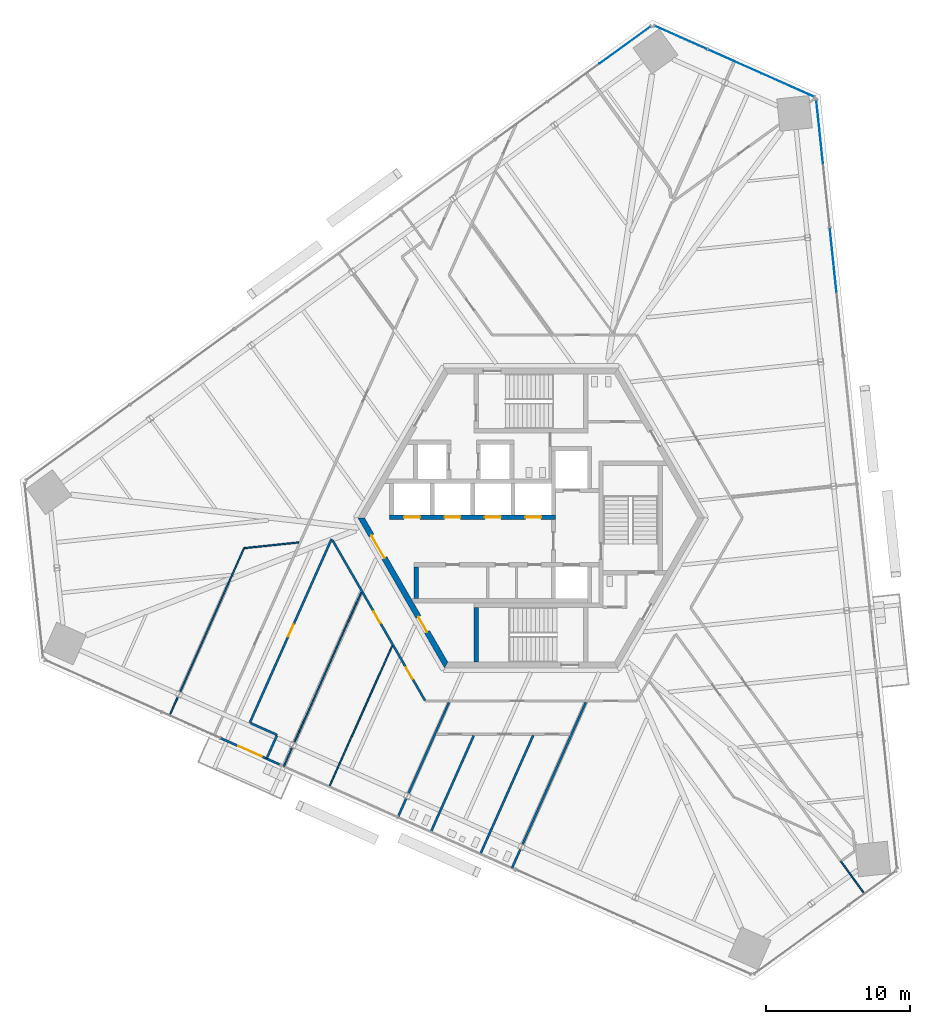
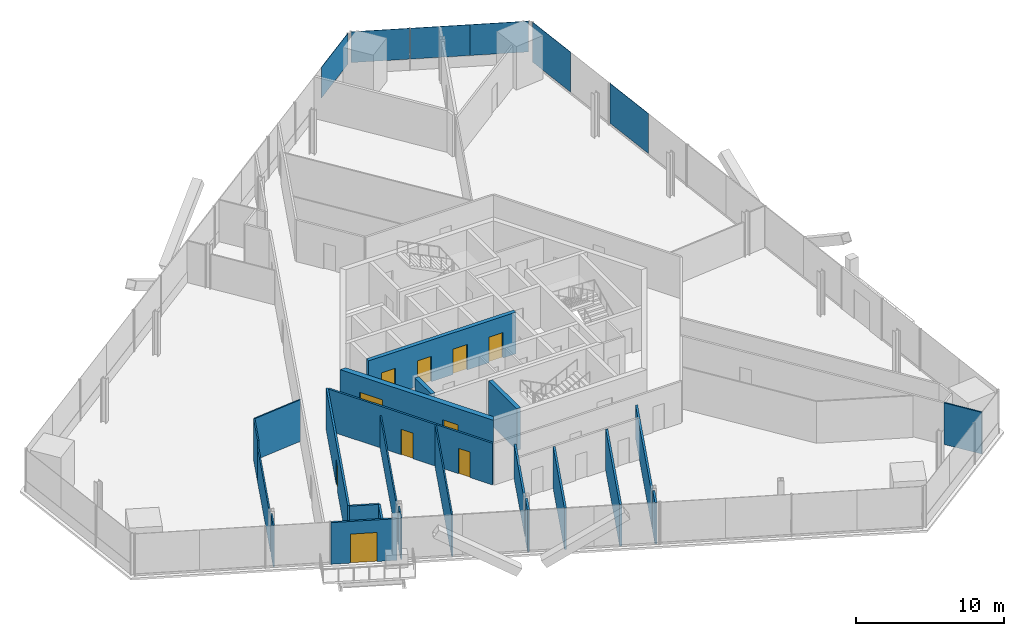
# One storey, part 11 of 19: 23 walls, 10 doors, 6 plates, 10 openings, 3 elements without a shape of their own.
"""IFC4 building model written with IfcOpenShell, lengths in metres."""

from ifc_helpers import new_model, si_unit, direction, frame, frame_2d, origin, origin_2d, place, context, subcontext, project, spatial, polyline, rectangle, outline, extrude, source, transform, mapped, material, layer, layer_set, type_object, element, fill, aggregate, save


model = new_model("IFC4")

# Units and contexts
model_context = context("Model", 3, precision=1e-05, world=origin(), true_north=direction((0.0, 1.0)))
body_context = subcontext(model_context, "Body", "Model", "MODEL_VIEW")
ifc_project = project(units=[si_unit("LENGTHUNIT", "METRE"), si_unit("AREAUNIT", "SQUARE_METRE"), si_unit("VOLUMEUNIT", "CUBIC_METRE"), si_unit("PLANEANGLEUNIT", "RADIAN"), si_unit("MASSUNIT", "GRAM", prefix="KILO")], contexts=[model_context])

# Site, building, storey
site_placement = place(None, origin())
site = spatial("IfcSite", under=ifc_project, at=site_placement, CompositionType="ELEMENT")
building_placement = place(site_placement, origin())
building = spatial("IfcBuilding", under=site, at=building_placement, Name="Triune Harvest Tower", CompositionType="ELEMENT")
storey_placement = place(building_placement, frame((0.0, 0.0, 76.5)))
storey = spatial("IfcBuildingStorey", under=building, at=storey_placement, Name="L18", CompositionType="ELEMENT", Elevation=76.5)

# Curtain wall, plates
ifc_material_1 = material(Name="Aluminium bronze anodised", Category="aluminium")
curtain_wall_type_1 = type_object("IfcCurtainWallType", Name="CW-1 Tower stick curtain wall", PredefinedType="NOTDEFINED", material=ifc_material_1)
curtain_wall_1_placement = place(storey_placement, origin())
curtain_wall_1 = element("IfcCurtainWall", 1, at=curtain_wall_1_placement, inside=storey, type_object=curtain_wall_type_1, Name="CW-1 B2-F2 L18 run 1")
ifc_material_2 = material(Name="Glass", Category="glass")
ifc_layer_1 = layer(ifc_material_2, 0.031982421875)
ifc_layer_set_1 = layer_set([ifc_layer_1], Name="Glass")
plate_type_1 = type_object("IfcPlateType", Name="GL-1 panel 32", PredefinedType="CURTAIN_PANEL", material=ifc_layer_set_1)
shared_shape_1 = source(origin(), body_context, "Body", "SweptSolid", [
    extrude(rectangle(XDim=3.99853515625, YDim=0.031982421875, at=origin_2d()), origin(), (0.0, 0.0, 1.0), 2.5400390625),
])
plate_1_placement = place(storey_placement, frame((17.783203125, 30.018798828125, 0.89990234375), z_axis=(0.0, 0.0, 1.0), x_axis=(-0.913546644034, 0.406733978386, 0.0)))
plate_1 = element("IfcPlate", 2, at=plate_1_placement, type_object=plate_type_1, Name="CW-1 panel B2-F2 1.1", PredefinedType="CURTAIN_PANEL", context=body_context, shape_type="MappedRepresentation", body=[
    mapped(shared_shape_1, transform((0.0, 0.0, 0.0), scale=1.0)),
])
shared_shape_2 = source(origin(), body_context, "Body", "SweptSolid", [
    extrude(rectangle(XDim=4.035888671875, YDim=0.031982421875, at=origin_2d()), origin(), (0.0, 0.0, 1.0), 2.5400390625),
])
plate_2_placement = place(storey_placement, frame((14.11328125, 31.65283203125, 0.89990234375), z_axis=(0.0, 0.0, 1.0), x_axis=(-0.913546644034, 0.406733978386, 0.0)))
plate_2 = element("IfcPlate", 3, at=plate_2_placement, type_object=plate_type_1, Name="CW-1 panel B2-F2 1.2", PredefinedType="CURTAIN_PANEL", context=body_context, shape_type="MappedRepresentation", body=[
    mapped(shared_shape_2, transform((0.0, 0.0, 0.0), scale=1.0)),
])
shared_shape_3 = source(origin(), body_context, "Body", "SweptSolid", [
    extrude(rectangle(XDim=3.9609375, YDim=0.031982421875, at=origin_2d()), origin(), (0.0, 0.0, 1.0), 2.5400390625),
])
plate_3_placement = place(storey_placement, frame((10.39208984375, 33.3095703125, 0.89990234375), z_axis=(0.0, 0.0, 1.0), x_axis=(-0.913546644034, 0.406733978386, 0.0)))
plate_3 = element("IfcPlate", 4, at=plate_3_placement, type_object=plate_type_1, Name="CW-1 panel B2-F2 1.3", PredefinedType="CURTAIN_PANEL", context=body_context, shape_type="MappedRepresentation", body=[
    mapped(shared_shape_3, transform((0.0, 0.0, 0.0), scale=1.0)),
])
aggregate(curtain_wall_1, [plate_1, plate_2, plate_3])

ifc_material_3 = material(Name="Aluminium bronze anodised", Category="aluminium")
curtain_wall_type_2 = type_object("IfcCurtainWallType", Name="CW-6 Balcony window wall", PredefinedType="NOTDEFINED", material=ifc_material_3)
curtain_wall_2_placement = place(storey_placement, origin())
curtain_wall_2 = element("IfcCurtainWall", 5, at=curtain_wall_2_placement, inside=storey, type_object=curtain_wall_type_2, Name="CW-6 B2-F1 L18 run 1002")
ifc_material_4 = material(Name="Glass", Category="glass")
ifc_layer_2 = layer(ifc_material_4, 0.030029296875)
ifc_layer_set_2 = layer_set([ifc_layer_2], Name="Glass")
plate_type_2 = type_object("IfcPlateType", Name="GL-6 panel 30", PredefinedType="CURTAIN_PANEL", material=ifc_layer_set_2)
shared_shape_4 = source(origin(), body_context, "Body", "SweptSolid", [
    extrude(rectangle(XDim=4.3994140625, YDim=0.030029296875, at=origin_2d()), origin(), (0.0, 0.0, 1.0), 3.2900390625),
])
plate_4_placement = place(storey_placement, frame((20.00732421875, 26.786865234375, 0.14990234375), z_axis=(0.0, 0.0, 1.0), x_axis=(-0.104529095521, 0.994521828916, 0.0)))
plate_4 = element("IfcPlate", 6, at=plate_4_placement, type_object=plate_type_2, Name="CW-6 panel B2-F1 1002.4", PredefinedType="CURTAIN_PANEL", context=body_context, shape_type="MappedRepresentation", body=[
    mapped(shared_shape_4, transform((0.0, 0.0, 0.0), scale=1.0)),
])
shared_shape_5 = source(origin(), body_context, "Body", "SweptSolid", [
    extrude(rectangle(XDim=4.436767578125, YDim=0.030029296875, at=origin_2d()), origin(), (0.0, 0.0, 1.0), 3.2900390625),
])
plate_5_placement = place(storey_placement, frame((20.94091796875, 17.906005859375, 0.14990234375), z_axis=(0.0, 0.0, 1.0), x_axis=(-0.104529095521, 0.994521828916, 0.0)))
plate_5 = element("IfcPlate", 7, at=plate_5_placement, type_object=plate_type_2, Name="CW-6 panel B2-F1 1002.2", PredefinedType="CURTAIN_PANEL", context=body_context, shape_type="MappedRepresentation", body=[
    mapped(shared_shape_5, transform((0.0, 0.0, 0.0), scale=1.0)),
])
aggregate(curtain_wall_2, [plate_5, plate_4])

# Curtain wall, plate
curtain_wall_3_placement = place(storey_placement, origin())
curtain_wall_3 = element("IfcCurtainWall", 8, at=curtain_wall_3_placement, inside=storey, type_object=curtain_wall_type_1, Name="CW-1 B2-F3 L18 run 1")
shared_shape_6 = source(origin(), body_context, "Body", "SweptSolid", [
    extrude(rectangle(XDim=4.3955078125, YDim=0.031982421875, at=origin_2d()), origin(), (0.0, 0.0, 1.0), 2.5400390625),
])
plate_6_placement = place(storey_placement, frame((6.5205078125, 32.79345703125, 0.89990234375), z_axis=(0.0, 0.0, 1.0), x_axis=(-0.809016876799, -0.587785414122, 0.0)))
plate_6 = element("IfcPlate", 9, at=plate_6_placement, type_object=plate_type_1, Name="CW-1 panel B2-F3 1.1", PredefinedType="CURTAIN_PANEL", context=body_context, shape_type="MappedRepresentation", body=[
    mapped(shared_shape_6, transform((0.0, 0.0, 0.0), scale=1.0)),
])
aggregate(curtain_wall_3, [plate_6])

# Wall, openings, doors
ifc_material_5 = material(Name="Gypsum board on steel studs", Category="steel")
ifc_layer_3 = layer(ifc_material_5, 0.14990234375)
ifc_layer_set_3 = layer_set([ifc_layer_3], Name="Gypsum board on steel studs")
wall_type_1 = type_object("IfcWallType", Name="Fire Partition 150 mm", PredefinedType="PARTITIONING", material=ifc_layer_set_3)
wall_1_placement = place(storey_placement, frame((-13.763916015625, -1.544677734375, 0.0), z_axis=(0.0, 0.0, 1.0), x_axis=(0.499997149045, -0.866027049778, 0.0)))
wall_1 = element("IfcWall", 10, at=wall_1_placement, inside=storey, type_object=wall_type_1, Name="Partition L18 003", PredefinedType="PARTITIONING", context=body_context, shape_type="SweptSolid", body=[
    extrude(rectangle(XDim=12.822265625, YDim=0.14990234375, at=frame_2d((6.4111328125, 0.0))), origin(), (0.0, 0.0, 1.0), 3.43994140625),
])
opening_1_placement = place(wall_1_placement, frame((5.708984375, 0.0, 0.0)))
opening_1 = element("IfcOpeningElement", 11, at=opening_1_placement, cuts=wall_1, Name="Opening L18-014", PredefinedType="OPENING", context=body_context, shape_type="SweptSolid", body=[
    extrude(rectangle(XDim=0.89990234375, YDim=2.10009765625, at=frame_2d((0.449951171875, 1.050048828125))), frame((0.0, 0.0849609375, 0.0), z_axis=(0.0, -1.0, 0.0), x_axis=(1.0, 0.0, 0.0)), (0.0, 0.0, 1.0), 0.169921875),
])
opening_2_placement = place(wall_1_placement, frame((10.191650390625, 0.0, 0.0)))
opening_2 = element("IfcOpeningElement", 12, at=opening_2_placement, cuts=wall_1, Name="Opening L18-015", PredefinedType="OPENING", context=body_context, shape_type="SweptSolid", body=[
    extrude(rectangle(XDim=0.89990234375, YDim=2.10009765625, at=frame_2d((0.449951171875, 1.050048828125))), frame((0.0, 0.0849609375, 0.0), z_axis=(0.0, -1.0, 0.0), x_axis=(1.0, 0.0, 0.0)), (0.0, 0.0, 1.0), 0.169921875),
])
ifc_material_6 = material(Name="Timber and steel door set", Category="steel")
door_type_1 = type_object("IfcDoorType", Name="Single leaf door FD30 left hand 900 x 2100", OperationType="SINGLE_SWING_LEFT", PredefinedType="DOOR", material=ifc_material_6)
door_1_placement = place(opening_2_placement, origin())
door_1 = element("IfcDoor", 13, at=door_1_placement, inside=storey, type_object=door_type_1, Name="Door L18-015 Project Room 18.15", OperationType="SINGLE_SWING_LEFT", OverallHeight=2.10009765625, OverallWidth=0.89990234375, PredefinedType="DOOR", context=body_context, shape_type="SweptSolid", body=[
    extrude(rectangle(XDim=0.89990234375, YDim=2.10009765625, at=frame_2d((0.449951171875, 1.050048828125))), frame((0.0, 0.02490234375, 0.0), z_axis=(0.0, -1.0, 0.0), x_axis=(1.0, 0.0, 0.0)), (0.0, 0.0, 1.0), 0.050048828125),
])
fill(opening_2, door_1)
ifc_material_7 = material(Name="Timber and steel door set", Category="steel")
door_type_2 = type_object("IfcDoorType", Name="Single leaf door FD30 right hand 900 x 2100", OperationType="SINGLE_SWING_RIGHT", PredefinedType="DOOR", material=ifc_material_7)
door_2_placement = place(opening_1_placement, origin())
door_2 = element("IfcDoor", 14, at=door_2_placement, inside=storey, type_object=door_type_2, Name="Door L18-014 Office 18.14", OperationType="SINGLE_SWING_RIGHT", OverallHeight=2.10009765625, OverallWidth=0.89990234375, PredefinedType="DOOR", context=body_context, shape_type="SweptSolid", body=[
    extrude(rectangle(XDim=0.89990234375, YDim=2.10009765625, at=frame_2d((0.449951171875, 1.050048828125))), frame((0.0, 0.02490234375, 0.0), z_axis=(0.0, -1.0, 0.0), x_axis=(1.0, 0.0, 0.0)), (0.0, 0.0, 1.0), 0.050048828125),
])
fill(opening_1, door_2)

# Wall
wall_2_placement = place(storey_placement, frame((-19.447265625, -14.217041015625, 0.0), z_axis=(0.0, 0.0, 1.0), x_axis=(0.913572100921, -0.406676796017, 0.0)))
element("IfcWall", 15, at=wall_2_placement, inside=storey, type_object=wall_type_1, Name="Partition L18 018", PredefinedType="PARTITIONING", context=body_context, shape_type="SweptSolid", body=[
    extrude(rectangle(XDim=2.01953125, YDim=0.14990234375, at=frame_2d((1.009765625, 0.0))), origin(), (0.0, 0.0, 1.0), 3.43994140625),
])

# Wall, opening, door
wall_3_placement = place(storey_placement, frame((-19.501953125, -14.192626953125, 0.0), z_axis=(0.0, 0.0, 1.0), x_axis=(0.406745764985, 0.913541396252, 0.0)))
wall_3 = element("IfcWall", 16, at=wall_3_placement, inside=storey, type_object=wall_type_1, Name="Partition L18 045", PredefinedType="PARTITIONING", context=body_context, shape_type="SweptSolid", body=[
    extrude(rectangle(XDim=13.9482421875, YDim=0.14990234375, at=frame_2d((6.97412109375, 0.0))), origin(), (0.0, 0.0, 1.0), 3.43994140625),
])
opening_3_placement = place(wall_3_placement, frame((6.551025390625, 0.0, 0.0)))
opening_3 = element("IfcOpeningElement", 17, at=opening_3_placement, cuts=wall_3, Name="Opening L18-013", PredefinedType="OPENING", context=body_context, shape_type="SweptSolid", body=[
    extrude(rectangle(XDim=0.89990234375, YDim=2.10009765625, at=frame_2d((0.449951171875, 1.050048828125))), frame((0.0, 0.0849609375, 0.0), z_axis=(0.0, -1.0, 0.0), x_axis=(1.0, 0.0, 0.0)), (0.0, 0.0, 1.0), 0.169921875),
])
door_3_placement = place(opening_3_placement, origin())
door_3 = element("IfcDoor", 18, at=door_3_placement, inside=storey, type_object=door_type_1, Name="Door L18-013 Project Room 18.13", OperationType="SINGLE_SWING_LEFT", OverallHeight=2.10009765625, OverallWidth=0.89990234375, PredefinedType="DOOR", context=body_context, shape_type="SweptSolid", body=[
    extrude(rectangle(XDim=0.89990234375, YDim=2.10009765625, at=frame_2d((0.449951171875, 1.050048828125))), frame((0.0, 0.02490234375, 0.0), z_axis=(0.0, -1.0, 0.0), x_axis=(1.0, 0.0, 0.0)), (0.0, 0.0, 1.0), 0.050048828125),
])
fill(opening_3, door_3)

# Wall
ifc_material_8 = material(Name="Gypsum board on steel studs", Category="steel")
ifc_layer_4 = layer(ifc_material_8, 0.10009765625)
ifc_layer_set_4 = layer_set([ifc_layer_4], Name="Gypsum board on steel studs")
wall_type_2 = type_object("IfcWallType", Name="Partition 100 mm", PredefinedType="PARTITIONING", material=ifc_layer_set_4)
wall_4_placement = place(storey_placement, frame((-13.97998046875, -18.62158203125, 0.0), z_axis=(0.0, 0.0, 1.0), x_axis=(0.406744679904, 0.913541879374, 0.0)))
element("IfcWall", 19, at=wall_4_placement, inside=storey, type_object=wall_type_2, Name="Partition L18 041", PredefinedType="PARTITIONING", context=body_context, shape_type="SweptSolid", body=[
    extrude(rectangle(XDim=10.685302734375, YDim=0.10009765625, at=frame_2d((5.3427734375, 0.0))), origin(), (0.0, 0.0, 1.0), 3.43994140625),
])

# Wall, openings, doors
ifc_material_9 = material(Name="Concrete 70 MPa", Category="concrete")
ifc_layer_5 = layer(ifc_material_9, 0.39990234375)
ifc_layer_set_5 = layer_set([ifc_layer_5], Name="Concrete 70 MPa")
wall_type_3 = type_object("IfcWallType", Name="Core wall 400", PredefinedType="SHEAR", material=ifc_layer_set_5)
shared_shape_7 = source(origin(), body_context, "Body", "SweptSolid", [
    extrude(outline(polyline([(-0.115478515625, -0.199951171875), (11.884521484375, -0.199951171875), (11.653564453125, 0.199951171875), (0.115478515625, 0.199951171875), (-0.115478515625, -0.199951171875)])), origin(), (0.0, 0.0, 1.0), 3.43994140625),
])
wall_5_placement = place(storey_placement, frame((-11.76904296875, 0.0, 0.0), z_axis=(0.0, 0.0, 1.0), x_axis=(0.499996592174, -0.866027371285, 0.0)))
wall_5 = element("IfcWall", 20, at=wall_5_placement, inside=storey, type_object=wall_type_3, Name="Hexagon 3 wall", PredefinedType="SHEAR", context=body_context, shape_type="MappedRepresentation", body=[
    mapped(shared_shape_7, transform((0.0, 0.0, 0.0), scale=1.0)),
])
opening_4_placement = place(wall_5_placement, frame((1.404541015625, 0.0, 0.0)))
opening_4 = element("IfcOpeningElement", 21, at=opening_4_placement, cuts=wall_5, Name="Opening CD-LS", PredefinedType="OPENING", context=body_context, shape_type="SweptSolid", body=[
    extrude(rectangle(XDim=1.800048828125, YDim=2.10009765625, at=frame_2d((0.89990234375, 1.050048828125))), frame((0.0, 0.2099609375, 0.0), z_axis=(0.0, -1.0, 0.0), x_axis=(1.0, 0.0, 0.0)), (0.0, 0.0, 1.0), 0.419921875),
])
opening_5_placement = place(wall_5_placement, frame((7.91455078125, 0.0, 0.0)))
opening_5 = element("IfcOpeningElement", 22, at=opening_5_placement, cuts=wall_5, Name="Opening CD-SWP", PredefinedType="OPENING", context=body_context, shape_type="SweptSolid", body=[
    extrude(rectangle(XDim=1.199951171875, YDim=2.10009765625, at=frame_2d((0.60009765625, 1.050048828125))), frame((0.0, 0.2099609375, 0.0), z_axis=(0.0, -1.0, 0.0), x_axis=(1.0, 0.0, 0.0)), (0.0, 0.0, 1.0), 0.419921875),
])
ifc_material_10 = material(Name="Steel S235", Category="steel")
door_type_3 = type_object("IfcDoorType", Name="Lobby door 1800 FD120", OperationType="DOUBLE_DOOR_DOUBLE_SWING", PredefinedType="DOOR", material=ifc_material_10)
door_4_placement = place(opening_4_placement, frame((1.800048828125, 0.0, 0.0), z_axis=(0.0, 0.0, 1.0), x_axis=(-1.0, 0.0, 0.0)))
door_4 = element("IfcDoor", 23, at=door_4_placement, inside=storey, type_object=door_type_3, Name="Door CD-LS", OperationType="DOUBLE_DOOR_DOUBLE_SWING", OverallHeight=2.10009765625, OverallWidth=1.800048828125, PredefinedType="DOOR", context=body_context, shape_type="SweptSolid", body=[
    extrude(rectangle(XDim=1.800048828125, YDim=2.10009765625, at=frame_2d((0.89990234375, 1.050048828125))), frame((0.0, 0.02490234375, 0.0), z_axis=(0.0, -1.0, 0.0), x_axis=(1.0, 0.0, 0.0)), (0.0, 0.0, 1.0), 0.050048828125),
])
fill(opening_4, door_4)
ifc_material_11 = material(Name="Steel S235", Category="steel")
door_type_4 = type_object("IfcDoorType", Name="Service door 1200 FD120", OperationType="SINGLE_SWING_LEFT", PredefinedType="DOOR", material=ifc_material_11)
door_5_placement = place(opening_5_placement, frame((1.199951171875, 0.0, 0.0), z_axis=(0.0, 0.0, 1.0), x_axis=(-1.0, 0.0, 0.0)))
door_5 = element("IfcDoor", 24, at=door_5_placement, inside=storey, type_object=door_type_4, Name="Door CD-SWP", OperationType="SINGLE_SWING_RIGHT", OverallHeight=2.10009765625, OverallWidth=1.199951171875, PredefinedType="DOOR", context=body_context, shape_type="SweptSolid", body=[
    extrude(rectangle(XDim=1.199951171875, YDim=2.10009765625, at=frame_2d((0.60009765625, 1.050048828125))), frame((0.0, 0.02490234375, 0.0), z_axis=(0.0, -1.0, 0.0), x_axis=(1.0, 0.0, 0.0)), (0.0, 0.0, 1.0), 0.050048828125),
])
fill(opening_5, door_5)

ifc_material_12 = material(Name="Concrete 70 MPa", Category="concrete")
ifc_layer_6 = layer(ifc_material_12, 0.300048828125)
ifc_layer_set_6 = layer_set([ifc_layer_6], Name="Concrete 70 MPa")
wall_type_4 = type_object("IfcWallType", Name="Core wall 300", PredefinedType="SHEAR", material=ifc_layer_set_6)
shared_shape_8 = source(origin(), body_context, "Body", "SweptSolid", [
    extrude(rectangle(XDim=11.5, YDim=0.300048828125, at=frame_2d((5.75, 0.0))), origin(), (0.0, 0.0, 1.0), 3.43994140625),
])
wall_6_placement = place(storey_placement, frame((-9.800048828125, 0.06005859375, 0.0), z_axis=(0.0, 0.0, 1.0), x_axis=(1.0, 0.0, 0.0)))
wall_6 = element("IfcWall", 25, at=wall_6_placement, inside=storey, type_object=wall_type_4, Name="North front wall", PredefinedType="SHEAR", context=body_context, shape_type="MappedRepresentation", body=[
    mapped(shared_shape_8, transform((0.0, 0.0, 0.0), scale=1.0)),
])
opening_6_placement = place(wall_6_placement, frame((1.0, 0.0, 0.0)))
opening_6 = element("IfcOpeningElement", 26, at=opening_6_placement, cuts=wall_6, Name="Opening LD-LR1-18", PredefinedType="OPENING", context=body_context, shape_type="SweptSolid", body=[
    extrude(rectangle(XDim=1.10009765625, YDim=2.10009765625, at=frame_2d((0.550048828125, 1.050048828125))), frame((0.0, 0.16015625, 0.0), z_axis=(0.0, -1.0, 0.0), x_axis=(1.0, 0.0, 0.0)), (0.0, 0.0, 1.0), 0.320068359375),
])
opening_7_placement = place(wall_6_placement, frame((3.800048828125, 0.0, 0.0)))
opening_7 = element("IfcOpeningElement", 27, at=opening_7_placement, cuts=wall_6, Name="Opening LD-LR2-18", PredefinedType="OPENING", context=body_context, shape_type="SweptSolid", body=[
    extrude(rectangle(XDim=1.10009765625, YDim=2.10009765625, at=frame_2d((0.550048828125, 1.050048828125))), frame((0.0, 0.16015625, 0.0), z_axis=(0.0, -1.0, 0.0), x_axis=(1.0, 0.0, 0.0)), (0.0, 0.0, 1.0), 0.320068359375),
])
opening_8_placement = place(wall_6_placement, frame((6.60009765625, 0.0, 0.0)))
opening_8 = element("IfcOpeningElement", 28, at=opening_8_placement, cuts=wall_6, Name="Opening LD-LR3-18", PredefinedType="OPENING", context=body_context, shape_type="SweptSolid", body=[
    extrude(rectangle(XDim=1.10009765625, YDim=2.10009765625, at=frame_2d((0.550048828125, 1.050048828125))), frame((0.0, 0.16015625, 0.0), z_axis=(0.0, -1.0, 0.0), x_axis=(1.0, 0.0, 0.0)), (0.0, 0.0, 1.0), 0.320068359375),
])
opening_9_placement = place(wall_6_placement, frame((9.39990234375, 0.0, 0.0)))
opening_9 = element("IfcOpeningElement", 29, at=opening_9_placement, cuts=wall_6, Name="Opening LD-LR4-18", PredefinedType="OPENING", context=body_context, shape_type="SweptSolid", body=[
    extrude(rectangle(XDim=1.10009765625, YDim=2.10009765625, at=frame_2d((0.550048828125, 1.050048828125))), frame((0.0, 0.16015625, 0.0), z_axis=(0.0, -1.0, 0.0), x_axis=(1.0, 0.0, 0.0)), (0.0, 0.0, 1.0), 0.320068359375),
])
ifc_material_13 = material(Name="Stainless steel AISI 304", Category="steel")
door_type_5 = type_object("IfcDoorType", Name="Landing door 1100 x 2100", OperationType="DOUBLE_DOOR_SLIDING", PredefinedType="DOOR", material=ifc_material_13)
door_6_placement = place(opening_6_placement, origin())
door_6 = element("IfcDoor", 30, at=door_6_placement, inside=storey, type_object=door_type_5, Name="Door LD-LR1-18", OperationType="DOUBLE_DOOR_SLIDING", OverallHeight=2.10009765625, OverallWidth=1.10009765625, PredefinedType="DOOR", context=body_context, shape_type="SweptSolid", body=[
    extrude(rectangle(XDim=1.10009765625, YDim=2.10009765625, at=frame_2d((0.550048828125, 1.050048828125))), frame((0.0, 0.02490234375, 0.0), z_axis=(0.0, -1.0, 0.0), x_axis=(1.0, 0.0, 0.0)), (0.0, 0.0, 1.0), 0.050048828125),
])
fill(opening_6, door_6)
door_7_placement = place(opening_7_placement, origin())
door_7 = element("IfcDoor", 31, at=door_7_placement, inside=storey, type_object=door_type_5, Name="Door LD-LR2-18", OperationType="DOUBLE_DOOR_SLIDING", OverallHeight=2.10009765625, OverallWidth=1.10009765625, PredefinedType="DOOR", context=body_context, shape_type="SweptSolid", body=[
    extrude(rectangle(XDim=1.10009765625, YDim=2.10009765625, at=frame_2d((0.550048828125, 1.050048828125))), frame((0.0, 0.02490234375, 0.0), z_axis=(0.0, -1.0, 0.0), x_axis=(1.0, 0.0, 0.0)), (0.0, 0.0, 1.0), 0.050048828125),
])
fill(opening_7, door_7)
door_8_placement = place(opening_8_placement, origin())
door_8 = element("IfcDoor", 32, at=door_8_placement, inside=storey, type_object=door_type_5, Name="Door LD-LR3-18", OperationType="DOUBLE_DOOR_SLIDING", OverallHeight=2.10009765625, OverallWidth=1.10009765625, PredefinedType="DOOR", context=body_context, shape_type="SweptSolid", body=[
    extrude(rectangle(XDim=1.10009765625, YDim=2.10009765625, at=frame_2d((0.550048828125, 1.050048828125))), frame((0.0, 0.02490234375, 0.0), z_axis=(0.0, -1.0, 0.0), x_axis=(1.0, 0.0, 0.0)), (0.0, 0.0, 1.0), 0.050048828125),
])
fill(opening_8, door_8)
door_9_placement = place(opening_9_placement, origin())
door_9 = element("IfcDoor", 33, at=door_9_placement, inside=storey, type_object=door_type_5, Name="Door LD-LR4-18", OperationType="DOUBLE_DOOR_SLIDING", OverallHeight=2.10009765625, OverallWidth=1.10009765625, PredefinedType="DOOR", context=body_context, shape_type="SweptSolid", body=[
    extrude(rectangle(XDim=1.10009765625, YDim=2.10009765625, at=frame_2d((0.550048828125, 1.050048828125))), frame((0.0, 0.02490234375, 0.0), z_axis=(0.0, -1.0, 0.0), x_axis=(1.0, 0.0, 0.0)), (0.0, 0.0, 1.0), 0.050048828125),
])
fill(opening_9, door_9)

# Walls
shared_shape_9 = source(origin(), body_context, "Body", "SweptSolid", [
    extrude(rectangle(XDim=2.2001953125, YDim=0.300048828125, at=frame_2d((1.10009765625, 0.0))), origin(), (0.0, 0.0, 1.0), 3.43994140625),
])
wall_7_placement = place(storey_placement, frame((-7.949951171875, -5.590087890625, 0.0), z_axis=(0.0, 0.0, 1.0), x_axis=(0.0, 1.0, 0.0)))
element("IfcWall", 34, at=wall_7_placement, inside=storey, type_object=wall_type_4, Name="South end west wall", PredefinedType="SHEAR", context=body_context, shape_type="MappedRepresentation", body=[
    mapped(shared_shape_9, transform((0.0, 0.0, 0.0), scale=1.0)),
])
shared_shape_10 = source(origin(), body_context, "Body", "SweptSolid", [
    extrude(outline(polyline([(3.800048828125, -0.14990234375), (-0.00439453125, -0.14990234375), (-0.00439453125, 0.14990234375), (3.800048828125, 0.14990234375), (3.800048828125, -0.14990234375)])), origin(), (0.0, 0.0, 1.0), 3.43994140625),
])
wall_8_placement = place(storey_placement, frame((-3.800048828125, -9.989990234375, 0.0), z_axis=(0.0, 0.0, 1.0), x_axis=(0.0, 1.0, 0.0)))
element("IfcWall", 35, at=wall_8_placement, inside=storey, type_object=wall_type_4, Name="Stair s west wall", PredefinedType="SHEAR", context=body_context, shape_type="MappedRepresentation", body=[
    mapped(shared_shape_10, transform((0.0, 0.0, 0.0), scale=1.0)),
])

# Wall, opening, door
ifc_material_14 = material(Name="Aluminium bronze anodised", Category="aluminium")
ifc_layer_7 = layer(ifc_material_14, 0.14990234375)
ifc_layer_set_7 = layer_set([ifc_layer_7], Name="Aluminium bronze anodised")
wall_type_5 = type_object("IfcWallType", Name="WW-2 balcony window wall", PredefinedType="ELEMENTEDWALL", material=ifc_layer_set_7)
shared_shape_11 = source(origin(), body_context, "Body", "SweptSolid", [
    extrude(rectangle(XDim=4.485595703125, YDim=0.14990234375, at=frame_2d((2.24267578125, 0.0))), origin(), (0.0, 0.0, 1.0), 3.43994140625),
])
wall_9_placement = place(storey_placement, frame((-17.427490234375, -17.086669921875, 0.0), z_axis=(0.0, 0.0, 1.0), x_axis=(-0.91354876379, 0.406729217266, 0.0)))
wall_9 = element("IfcWall", 36, at=wall_9_placement, inside=storey, type_object=wall_type_5, Name="WW-2 B2-F5 L18.4", PredefinedType="ELEMENTEDWALL", context=body_context, shape_type="MappedRepresentation", body=[
    mapped(shared_shape_11, transform((0.0, 0.0, 0.0), scale=1.0)),
])
opening_10_placement = place(wall_9_placement, frame((1.3427734375, 0.0, 0.0)))
opening_10 = element("IfcOpeningElement", 37, at=opening_10_placement, cuts=wall_9, Name="Opening L18-E02", PredefinedType="OPENING", context=body_context, shape_type="SweptSolid", body=[
    extrude(rectangle(XDim=1.800048828125, YDim=2.39990234375, at=frame_2d((0.89990234375, 1.199951171875))), frame((0.0, 0.0849609375, 0.0), z_axis=(0.0, -1.0, 0.0), x_axis=(1.0, 0.0, 0.0)), (0.0, 0.0, 1.0), 0.169921875),
])
ifc_material_15 = material(Name="Glass", Category="glass")
door_type_6 = type_object("IfcDoorType", Name="DB-1 balcony door 1800 x 2400", OperationType="DOUBLE_DOOR_SINGLE_SWING", PredefinedType="DOOR", material=ifc_material_15)
door_10_placement = place(opening_10_placement, origin())
door_10 = element("IfcDoor", 38, at=door_10_placement, inside=storey, type_object=door_type_6, Name="Door L18-E02", OperationType="DOUBLE_DOOR_SINGLE_SWING", OverallHeight=2.39990234375, OverallWidth=1.800048828125, PredefinedType="DOOR", context=body_context, shape_type="SweptSolid", body=[
    extrude(rectangle(XDim=1.800048828125, YDim=2.39990234375, at=frame_2d((0.89990234375, 1.199951171875))), frame((0.0, 0.02490234375, 0.0), z_axis=(0.0, -1.0, 0.0), x_axis=(1.0, 0.0, 0.0)), (0.0, 0.0, 1.0), 0.050048828125),
])
fill(opening_10, door_10)

# Walls
shared_shape_12 = source(origin(), body_context, "Body", "SweptSolid", [
    extrude(rectangle(XDim=1.41845703125, YDim=0.14990234375, at=frame_2d((0.709228515625, 0.0))), origin(), (0.0, 0.0, 1.0), 3.43994140625),
])
for number, where, z_axis, x_axis, name in (
    (39, (-1.31884765625, -24.2587890625, 0.0), (0.0, 0.0, 1.0), (0.406697305895, 0.913562970669, 0.0), "Partition L18 032"),
    (40, (-9.23193359375, -20.735595703125, 0.0), (0.0, 0.0, 1.0), (0.406697305895, 0.913562970669, 0.0), "Partition L18 036"),
):
    element("IfcWall", number, at=place(storey_placement, frame(where, z_axis=z_axis, x_axis=x_axis)), inside=storey, type_object=wall_type_1, Name=name, PredefinedType="PARTITIONING", context=body_context, shape_type="MappedRepresentation", body=[
        mapped(shared_shape_12, transform((0.0, 0.0, 0.0), scale=1.0)),
    ])
shared_shape_13 = source(origin(), body_context, "Body", "SweptSolid", [
    extrude(rectangle(XDim=1.418212890625, YDim=0.10009765625, at=frame_2d((0.708984375, 0.0))), origin(), (0.0, 0.0, 1.0), 3.43994140625),
])
for number, where, z_axis, x_axis, name in (
    (41, (-17.145263671875, -17.212158203125, 0.0), (0.0, 0.0, 1.0), (0.40676126154, 0.913534496399, 0.0), "Partition L18 042"),
    (42, (-25.05859375, -13.68896484375, 0.0), (0.0, 0.0, 1.0), (0.40676126154, 0.913534496399, 0.0), "Partition L18 050"),
):
    element("IfcWall", number, at=place(storey_placement, frame(where, z_axis=z_axis, x_axis=x_axis)), inside=storey, type_object=wall_type_2, Name=name, PredefinedType="PARTITIONING", context=body_context, shape_type="MappedRepresentation", body=[
        mapped(shared_shape_13, transform((0.0, 0.0, 0.0), scale=1.0)),
    ])
shared_shape_14 = source(origin(), body_context, "Body", "SweptSolid", [
    extrude(rectangle(XDim=2.7802734375, YDim=0.10009765625, at=frame_2d((1.39013671875, 0.0))), origin(), (0.0, 0.0, 1.0), 3.43994140625),
])
wall_10_placement = place(storey_placement, frame((21.471435546875, -23.801513671875, 0.0), z_axis=(0.0, 0.0, 1.0), x_axis=(0.587806154415, -0.809001807682, 0.0)))
element("IfcWall", 43, at=wall_10_placement, inside=storey, type_object=wall_type_2, Name="Partition L18 010", PredefinedType="PARTITIONING", context=body_context, shape_type="MappedRepresentation", body=[
    mapped(shared_shape_14, transform((0.0, 0.0, 0.0), scale=1.0)),
])
shared_shape_15 = source(origin(), body_context, "Body", "SweptSolid", [
    extrude(rectangle(XDim=3.794189453125, YDim=0.10009765625, at=frame_2d((1.89697265625, 0.0))), origin(), (0.0, 0.0, 1.0), 3.43994140625),
])
wall_11_placement = place(storey_placement, frame((-19.875, -2.0888671875, 0.0), z_axis=(0.0, 0.0, 1.0), x_axis=(0.994525179628, 0.104497210903, 0.0)))
element("IfcWall", 44, at=wall_11_placement, inside=storey, type_object=wall_type_2, Name="Partition L18 023", PredefinedType="PARTITIONING", context=body_context, shape_type="MappedRepresentation", body=[
    mapped(shared_shape_15, transform((0.0, 0.0, 0.0), scale=1.0)),
])
shared_shape_16 = source(origin(), body_context, "Body", "SweptSolid", [
    extrude(rectangle(XDim=10.768798828125, YDim=0.14990234375, at=frame_2d((5.38427734375, 0.0))), origin(), (0.0, 0.0, 1.0), 2.7568359375),
])
wall_12_placement = place(storey_placement, frame((-0.58984375, -22.62158203125, 0.0), z_axis=(0.0, 0.0, 1.0), x_axis=(0.406737870943, 0.91354491096, 0.0)))
element("IfcWall", 45, at=wall_12_placement, inside=storey, type_object=wall_type_1, Name="Partition L18 033", PredefinedType="PARTITIONING", context=body_context, shape_type="MappedRepresentation", body=[
    mapped(shared_shape_16, transform((0.0, 0.0, 0.0), scale=1.0)),
])
shared_shape_17 = source(origin(), body_context, "Body", "SweptSolid", [
    extrude(rectangle(XDim=8.98486328125, YDim=0.14990234375, at=frame_2d((4.492431640625, 0.0))), origin(), (0.0, 0.0, 1.0), 3.43994140625),
])
wall_13_placement = place(storey_placement, frame((-3.51123046875, -23.282470703125, 0.0), z_axis=(0.0, 0.0, 1.0), x_axis=(0.406745977018, 0.913541301847, 0.0)))
element("IfcWall", 46, at=wall_13_placement, inside=storey, type_object=wall_type_1, Name="Partition L18 034", PredefinedType="PARTITIONING", context=body_context, shape_type="MappedRepresentation", body=[
    mapped(shared_shape_17, transform((0.0, 0.0, 0.0), scale=1.0)),
])
shared_shape_18 = source(origin(), body_context, "Body", "SweptSolid", [
    extrude(rectangle(XDim=7.302001953125, YDim=0.14990234375, at=frame_2d((3.65087890625, 0.0))), origin(), (0.0, 0.0, 1.0), 3.43994140625),
])
wall_14_placement = place(storey_placement, frame((-6.943603515625, -21.75439453125, 0.0), z_axis=(0.0, 0.0, 1.0), x_axis=(0.406737107151, 0.913545251023, 0.0)))
element("IfcWall", 47, at=wall_14_placement, inside=storey, type_object=wall_type_1, Name="Partition L18 035", PredefinedType="PARTITIONING", context=body_context, shape_type="MappedRepresentation", body=[
    mapped(shared_shape_18, transform((0.0, 0.0, 0.0), scale=1.0)),
])
shared_shape_19 = source(origin(), body_context, "Body", "SweptSolid", [
    extrude(rectangle(XDim=2.61181640625, YDim=0.10009765625, at=frame_2d((1.305908203125, 0.0))), origin(), (0.0, 0.0, 1.0), 3.43994140625),
])
wall_15_placement = place(storey_placement, frame((-20.957275390625, -4.47705078125, 0.0), z_axis=(0.0, 0.0, 1.0), x_axis=(0.406719484736, 0.913553096835, 0.0)))
element("IfcWall", 48, at=wall_15_placement, inside=storey, type_object=wall_type_2, Name="Partition L18 051a", PredefinedType="PARTITIONING", context=body_context, shape_type="MappedRepresentation", body=[
    mapped(shared_shape_19, transform((0.0, 0.0, 0.0), scale=1.0)),
])
shared_shape_20 = source(origin(), body_context, "Body", "SweptSolid", [
    extrude(rectangle(XDim=6.912353515625, YDim=0.14990234375, at=frame_2d((3.4560546875, 0.0))), origin(), (0.0, 0.0, 1.0), 2.827880859375),
])
wall_16_placement = place(storey_placement, frame((-8.503173828125, -19.098388671875, 0.0), z_axis=(0.0, 0.0, 1.0), x_axis=(0.406741360929, 0.913543357105, 0.0)))
element("IfcWall", 49, at=wall_16_placement, inside=storey, type_object=wall_type_1, Name="Partition L18 037", PredefinedType="PARTITIONING", context=body_context, shape_type="MappedRepresentation", body=[
    mapped(shared_shape_20, transform((0.0, 0.0, 0.0), scale=1.0)),
])
shared_shape_21 = source(origin(), body_context, "Body", "SweptSolid", [
    extrude(rectangle(XDim=11.41064453125, YDim=0.10009765625, at=frame_2d((5.705322265625, 0.0))), origin(), (0.0, 0.0, 1.0), 2.68310546875),
])
wall_17_placement = place(storey_placement, frame((-16.41650390625, -15.5751953125, 0.0), z_axis=(0.0, 0.0, 1.0), x_axis=(0.406737907723, 0.913544894584, 0.0)))
element("IfcWall", 50, at=wall_17_placement, inside=storey, type_object=wall_type_2, Name="Partition L18 043", PredefinedType="PARTITIONING", context=body_context, shape_type="MappedRepresentation", body=[
    mapped(shared_shape_21, transform((0.0, 0.0, 0.0), scale=1.0)),
])
shared_shape_22 = source(origin(), body_context, "Body", "SweptSolid", [
    extrude(rectangle(XDim=8.29150390625, YDim=0.10009765625, at=frame_2d((4.145751953125, 0.0))), origin(), (0.0, 0.0, 1.0), 2.827880859375),
])
wall_18_placement = place(storey_placement, frame((-24.329833984375, -12.0517578125, 0.0), z_axis=(0.0, 0.0, 1.0), x_axis=(0.406744870427, 0.913541794546, 0.0)))
element("IfcWall", 51, at=wall_18_placement, inside=storey, type_object=wall_type_2, Name="Partition L18 051", PredefinedType="PARTITIONING", context=body_context, shape_type="MappedRepresentation", body=[
    mapped(shared_shape_22, transform((0.0, 0.0, 0.0), scale=1.0)),
])
shared_shape_23 = source(origin(), body_context, "Body", "SweptSolid", [
    extrude(rectangle(XDim=1.739990234375, YDim=0.14990234375, at=frame_2d((0.8701171875, 0.0))), origin(), (0.0, 0.0, 1.0), 3.43994140625),
])
wall_19_placement = place(storey_placement, frame((-18.33447265625, -16.682861328125, 0.0), z_axis=(0.0, 0.0, 1.0), x_axis=(0.406750229608, 0.913539408408, 0.0)))
element("IfcWall", 52, at=wall_19_placement, inside=storey, type_object=wall_type_1, Name="Partition L18 044", PredefinedType="PARTITIONING", context=body_context, shape_type="MappedRepresentation", body=[
    mapped(shared_shape_23, transform((0.0, 0.0, 0.0), scale=1.0)),
])

save(model, "model.ifc")
